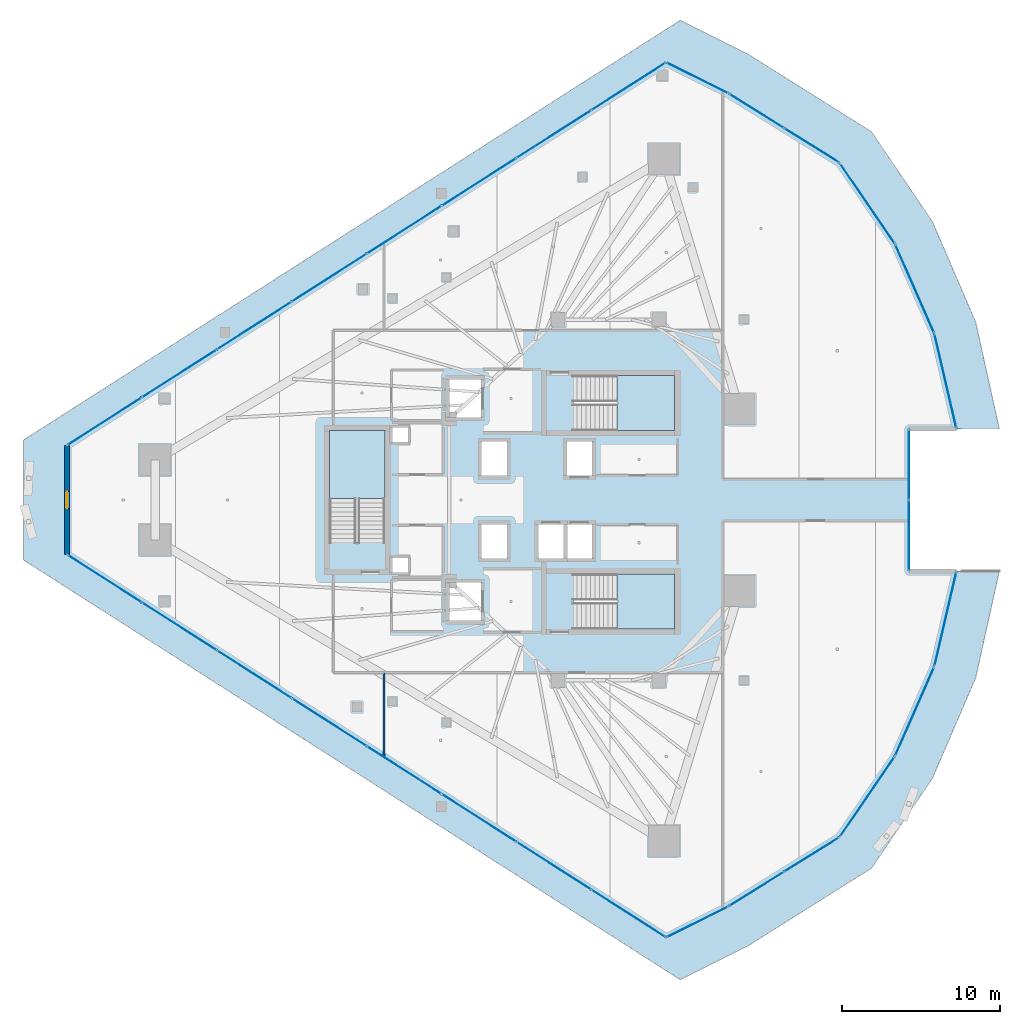
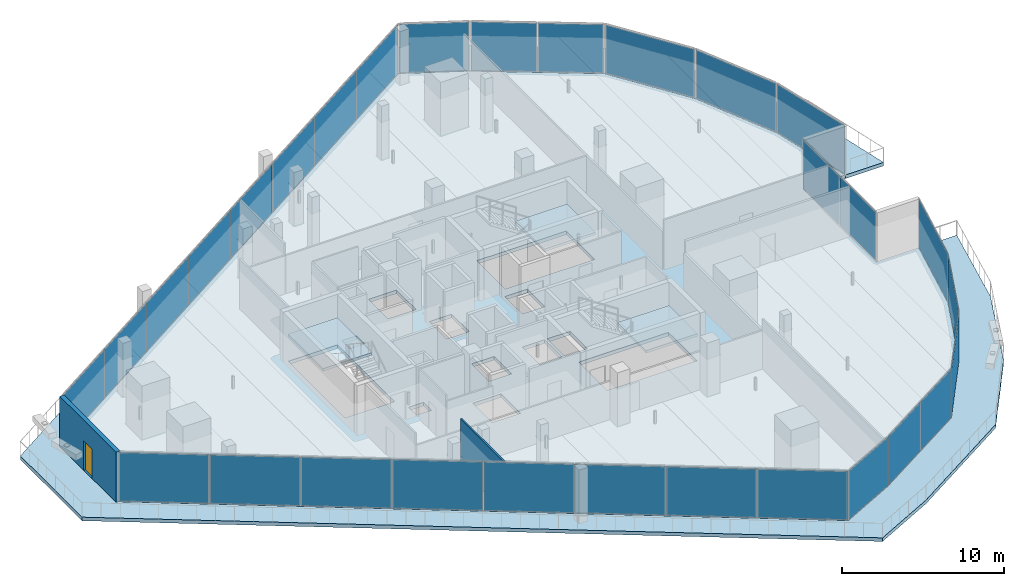
# One storey, part 24 of 36: 30 plates, 5 slabs, 2 walls, 1 door, 1 opening, 16 elements without a shape of their own.
"""IFC4 building model written with IfcOpenShell, lengths in metres."""

from ifc_helpers import new_model, si_unit, direction, frame, frame_2d, origin, origin_2d, place, context, subcontext, project, spatial, polyline, rectangle, outline, extrude, material, layer, layer_set, type_object, element, fill, aggregate, save


model = new_model("IFC4")

# Units and contexts
model_context = context("Model", 3, precision=1e-05, world=origin(), true_north=direction((0.0, 1.0)))
body_context = subcontext(model_context, "Body", "Model", "MODEL_VIEW")
ifc_project = project(units=[si_unit("LENGTHUNIT", "METRE"), si_unit("AREAUNIT", "SQUARE_METRE"), si_unit("VOLUMEUNIT", "CUBIC_METRE"), si_unit("PLANEANGLEUNIT", "RADIAN"), si_unit("MASSUNIT", "GRAM", prefix="KILO")], contexts=[model_context])

# Site, building, storey
site_placement = place(None, origin())
site = spatial("IfcSite", under=ifc_project, at=site_placement, CompositionType="ELEMENT")
building_placement = place(site_placement, origin())
building = spatial("IfcBuilding", under=site, at=building_placement, Name="Qorvath Tower", CompositionType="ELEMENT")
storey_placement = place(building_placement, frame((0.0, 0.0, 192.89990234375)))
storey = spatial("IfcBuildingStorey", under=building, at=storey_placement, Name="L44", CompositionType="ELEMENT", Elevation=192.89990234375)

# Curtain wall, plates
ifc_material_1 = material(Name="Anodised aluminium and triple low-E glass", Category="aluminium")
ifc_layer_1 = layer(ifc_material_1, 0.179931640625)
ifc_layer_set_1 = layer_set([ifc_layer_1], Name="CW-SYS-3")
curtain_wall_type = type_object("IfcCurtainWallType", Name="CW-SYS-3", PredefinedType="NOTDEFINED", material=ifc_layer_set_1)
curtain_wall_1_placement = place(storey_placement, origin())
curtain_wall_1 = element("IfcCurtainWall", 1, at=curtain_wall_1_placement, inside=storey, type_object=curtain_wall_type, Name="Curtain Wall CW-3 CW-T-L44-2.1", PredefinedType="NOTDEFINED")
ifc_material_2 = material(Name="Low-E triple insulated glass", Category="glass")
ifc_layer_2 = layer(ifc_material_2, 0.031982421875)
ifc_layer_set_2 = layer_set([ifc_layer_2], Name="CWP-GLZ-32")
plate_type = type_object("IfcPlateType", Name="CWP-GLZ-32", PredefinedType="CURTAIN_PANEL", material=ifc_layer_set_2)
plate_1_placement = place(storey_placement, frame((-52.372802734375, -4.998779296875, 0.06494140625), z_axis=(0.0, 0.0, 1.0), x_axis=(0.842604020948, -0.538533623725, 0.0)))
plate_1 = element("IfcPlate", 2, at=plate_1_placement, type_object=plate_type, Name="CW-3 panel 1.1", PredefinedType="CURTAIN_PANEL", context=body_context, shape_type="SweptSolid", body=[
    extrude(rectangle(XDim=5.542724609375, YDim=0.031982421875, at=origin_2d()), origin(), (0.0, 0.0, 1.0), 3.64990234375),
])
plate_2_placement = place(storey_placement, frame((-47.634033203125, -8.027587890625, 0.06494140625), z_axis=(0.0, 0.0, 1.0), x_axis=(0.842604020948, -0.538533623725, 0.0)))
plate_2 = element("IfcPlate", 3, at=plate_2_placement, type_object=plate_type, Name="CW-3 panel 2.1", PredefinedType="CURTAIN_PANEL", context=body_context, shape_type="SweptSolid", body=[
    extrude(rectangle(XDim=5.5751953125, YDim=0.031982421875, at=origin_2d()), origin(), (0.0, 0.0, 1.0), 3.64990234375),
])
plate_3_placement = place(storey_placement, frame((-42.881591796875, -11.06494140625, 0.06494140625), z_axis=(0.0, 0.0, 1.0), x_axis=(0.842604020948, -0.538533623725, 0.0)))
plate_3 = element("IfcPlate", 4, at=plate_3_placement, type_object=plate_type, Name="CW-3 panel 3.1", PredefinedType="CURTAIN_PANEL", context=body_context, shape_type="SweptSolid", body=[
    extrude(rectangle(XDim=5.5751953125, YDim=0.031982421875, at=origin_2d()), origin(), (0.0, 0.0, 1.0), 3.64990234375),
])
plate_4_placement = place(storey_placement, frame((-38.129150390625, -14.1025390625, 0.06494140625), z_axis=(0.0, 0.0, 1.0), x_axis=(0.842604020948, -0.538533623725, 0.0)))
plate_4 = element("IfcPlate", 5, at=plate_4_placement, type_object=plate_type, Name="CW-3 panel 4.1", PredefinedType="CURTAIN_PANEL", context=body_context, shape_type="SweptSolid", body=[
    extrude(rectangle(XDim=5.5751953125, YDim=0.031982421875, at=origin_2d()), origin(), (0.0, 0.0, 1.0), 3.64990234375),
])
plate_5_placement = place(storey_placement, frame((-33.37646484375, -17.139892578125, 0.06494140625), z_axis=(0.0, 0.0, 1.0), x_axis=(0.842604020948, -0.538533623725, 0.0)))
plate_5 = element("IfcPlate", 6, at=plate_5_placement, type_object=plate_type, Name="CW-3 panel 5.1", PredefinedType="CURTAIN_PANEL", context=body_context, shape_type="SweptSolid", body=[
    extrude(rectangle(XDim=5.5751953125, YDim=0.031982421875, at=origin_2d()), origin(), (0.0, 0.0, 1.0), 3.64990234375),
])
plate_6_placement = place(storey_placement, frame((-28.6240234375, -20.177490234375, 0.06494140625), z_axis=(0.0, 0.0, 1.0), x_axis=(0.842604020948, -0.538533623725, 0.0)))
plate_6 = element("IfcPlate", 7, at=plate_6_placement, type_object=plate_type, Name="CW-3 panel 6.1", PredefinedType="CURTAIN_PANEL", context=body_context, shape_type="SweptSolid", body=[
    extrude(rectangle(XDim=5.5751953125, YDim=0.031982421875, at=origin_2d()), origin(), (0.0, 0.0, 1.0), 3.64990234375),
])
plate_7_placement = place(storey_placement, frame((-23.87158203125, -23.21484375, 0.06494140625), z_axis=(0.0, 0.0, 1.0), x_axis=(0.842604020948, -0.538533623725, 0.0)))
plate_7 = element("IfcPlate", 8, at=plate_7_placement, type_object=plate_type, Name="CW-3 panel 7.1", PredefinedType="CURTAIN_PANEL", context=body_context, shape_type="SweptSolid", body=[
    extrude(rectangle(XDim=5.5751953125, YDim=0.031982421875, at=origin_2d()), origin(), (0.0, 0.0, 1.0), 3.64990234375),
])
plate_8_placement = place(storey_placement, frame((-19.1328125, -26.243408203125, 0.06494140625), z_axis=(0.0, 0.0, 1.0), x_axis=(0.842604020948, -0.538533623725, 0.0)))
plate_8 = element("IfcPlate", 9, at=plate_8_placement, type_object=plate_type, Name="CW-3 panel 8.1", PredefinedType="CURTAIN_PANEL", context=body_context, shape_type="SweptSolid", body=[
    extrude(rectangle(XDim=5.542724609375, YDim=0.031982421875, at=origin_2d()), origin(), (0.0, 0.0, 1.0), 3.64990234375),
])
aggregate(curtain_wall_1, [plate_1, plate_2, plate_3, plate_4, plate_5, plate_6, plate_7, plate_8])

# Curtain wall, plate
curtain_wall_2_placement = place(storey_placement, origin())
curtain_wall_2 = element("IfcCurtainWall", 10, at=curtain_wall_2_placement, inside=storey, type_object=curtain_wall_type, Name="Curtain Wall CW-3 CW-T-L44-3.1", PredefinedType="NOTDEFINED")
plate_9_placement = place(storey_placement, frame((-14.75927734375, -26.779296875, 0.06494140625), z_axis=(0.0, 0.0, 1.0), x_axis=(0.894431699973, 0.44720457744, 0.0)))
plate_9 = element("IfcPlate", 11, at=plate_9_placement, type_object=plate_type, Name="CW-3 panel 1.1", PredefinedType="CURTAIN_PANEL", context=body_context, shape_type="SweptSolid", body=[
    extrude(rectangle(XDim=4.3056640625, YDim=0.031982421875, at=origin_2d()), origin(), (0.0, 0.0, 1.0), 3.64990234375),
])
aggregate(curtain_wall_2, [plate_9])

# Curtain wall, plates
curtain_wall_3_placement = place(storey_placement, origin())
curtain_wall_3 = element("IfcCurtainWall", 12, at=curtain_wall_3_placement, inside=storey, type_object=curtain_wall_type, Name="Curtain Wall CW-3 CW-T-L44-4.1", PredefinedType="NOTDEFINED")
plate_10_placement = place(storey_placement, frame((-11.000732421875, -24.680419921875, 0.06494140625), z_axis=(0.0, 0.0, 1.0), x_axis=(0.848493264618, 0.529206179006, 0.0)))
plate_10 = element("IfcPlate", 13, at=plate_10_placement, type_object=plate_type, Name="CW-3 panel 1.1", PredefinedType="CURTAIN_PANEL", context=body_context, shape_type="SweptSolid", body=[
    extrude(rectangle(XDim=4.0537109375, YDim=0.031982421875, at=origin_2d()), origin(), (0.0, 0.0, 1.0), 3.64990234375),
])
plate_11_placement = place(storey_placement, frame((-7.506103515625, -22.500732421875, 0.06494140625), z_axis=(0.0, 0.0, 1.0), x_axis=(0.848493264618, 0.529206179006, 0.0)))
plate_11 = element("IfcPlate", 14, at=plate_11_placement, type_object=plate_type, Name="CW-3 panel 2.1", PredefinedType="CURTAIN_PANEL", context=body_context, shape_type="SweptSolid", body=[
    extrude(rectangle(XDim=4.0537109375, YDim=0.031982421875, at=origin_2d()), origin(), (0.0, 0.0, 1.0), 3.64990234375),
])
aggregate(curtain_wall_3, [plate_10, plate_11])

# Curtain wall, plate
curtain_wall_4_placement = place(storey_placement, origin())
curtain_wall_4 = element("IfcCurtainWall", 15, at=curtain_wall_4_placement, inside=storey, type_object=curtain_wall_type, Name="Curtain Wall CW-3 CW-T-L44-5.1", PredefinedType="NOTDEFINED")
plate_12_placement = place(storey_placement, frame((-3.97705078125, -18.828857421875, 0.06494140625), z_axis=(0.0, 0.0, 1.0), x_axis=(0.56451201528, 0.825424850974, 0.0)))
plate_12 = element("IfcPlate", 16, at=plate_12_placement, type_object=plate_type, Name="CW-3 panel 1.1", PredefinedType="CURTAIN_PANEL", context=body_context, shape_type="SweptSolid", body=[
    extrude(rectangle(XDim=6.085205078125, YDim=0.031982421875, at=origin_2d()), origin(), (0.0, 0.0, 1.0), 3.64990234375),
])
aggregate(curtain_wall_4, [plate_12])

curtain_wall_5_placement = place(storey_placement, origin())
curtain_wall_5 = element("IfcCurtainWall", 17, at=curtain_wall_5_placement, inside=storey, type_object=curtain_wall_type, Name="Curtain Wall CW-3 CW-T-L44-6.1", PredefinedType="NOTDEFINED")
plate_13_placement = place(storey_placement, frame((-0.972412109375, -13.418701171875, 0.06494140625), z_axis=(0.0, 0.0, 1.0), x_axis=(0.402320695364, 0.915498802884, 0.0)))
plate_13 = element("IfcPlate", 18, at=plate_13_placement, type_object=plate_type, Name="CW-3 panel 1.1", PredefinedType="CURTAIN_PANEL", context=body_context, shape_type="SweptSolid", body=[
    extrude(rectangle(XDim=6.085205078125, YDim=0.031982421875, at=origin_2d()), origin(), (0.0, 0.0, 1.0), 3.64990234375),
])
aggregate(curtain_wall_5, [plate_13])

curtain_wall_6_placement = place(storey_placement, origin())
curtain_wall_6 = element("IfcCurtainWall", 19, at=curtain_wall_6_placement, inside=storey, type_object=curtain_wall_type, Name="Curtain Wall CW-3 CW-T-L44-7.1", PredefinedType="NOTDEFINED")
plate_14_placement = place(storey_placement, frame((0.98095703125, -7.546630859375, 0.06494140625), z_axis=(0.0, 0.0, 1.0), x_axis=(0.226271743469, 0.974064216624, 0.0)))
plate_14 = element("IfcPlate", 20, at=plate_14_placement, type_object=plate_type, Name="CW-3 panel 1.1", PredefinedType="CURTAIN_PANEL", context=body_context, shape_type="SweptSolid", body=[
    extrude(rectangle(XDim=6.085205078125, YDim=0.031982421875, at=origin_2d()), origin(), (0.0, 0.0, 1.0), 3.64990234375),
])
aggregate(curtain_wall_6, [plate_14])

# Curtain wall, plates
curtain_wall_7_placement = place(storey_placement, origin())
curtain_wall_7 = element("IfcCurtainWall", 21, at=curtain_wall_7_placement, inside=storey, type_object=curtain_wall_type, Name="Curtain Wall CW-3 CW-T-L44-9.1", PredefinedType="NOTDEFINED")
plate_15_placement = place(storey_placement, frame((-1.3291015625, -2.24365234375, 0.06494140625), z_axis=(0.0, 0.0, 1.0), x_axis=(0.0, 1.0, 0.0)))
plate_15 = element("IfcPlate", 22, at=plate_15_placement, type_object=plate_type, Name="CW-3 panel 1.1", PredefinedType="CURTAIN_PANEL", context=body_context, shape_type="SweptSolid", body=[
    extrude(rectangle(XDim=4.42236328125, YDim=0.031982421875, at=origin_2d()), origin(), (0.0, 0.0, 1.0), 3.64990234375),
])
plate_16_placement = place(storey_placement, frame((-1.3291015625, 2.24365234375, 0.06494140625), z_axis=(0.0, 0.0, 1.0), x_axis=(0.0, 1.0, 0.0)))
plate_16 = element("IfcPlate", 23, at=plate_16_placement, type_object=plate_type, Name="CW-3 panel 2.1", PredefinedType="CURTAIN_PANEL", context=body_context, shape_type="SweptSolid", body=[
    extrude(rectangle(XDim=4.42236328125, YDim=0.031982421875, at=origin_2d()), origin(), (0.0, 0.0, 1.0), 3.64990234375),
])
aggregate(curtain_wall_7, [plate_15, plate_16])

# Curtain wall, plate
curtain_wall_8_placement = place(storey_placement, origin())
curtain_wall_8 = element("IfcCurtainWall", 24, at=curtain_wall_8_placement, inside=storey, type_object=curtain_wall_type, Name="Curtain Wall CW-3 CW-T-L44-11.1", PredefinedType="NOTDEFINED")
plate_17_placement = place(storey_placement, frame((0.98095703125, 7.546630859375, 0.06494140625), z_axis=(0.0, 0.0, 1.0), x_axis=(-0.226271743469, 0.974064216624, 0.0)))
plate_17 = element("IfcPlate", 25, at=plate_17_placement, type_object=plate_type, Name="CW-3 panel 1.1", PredefinedType="CURTAIN_PANEL", context=body_context, shape_type="SweptSolid", body=[
    extrude(rectangle(XDim=6.085205078125, YDim=0.031982421875, at=origin_2d()), origin(), (0.0, 0.0, 1.0), 3.64990234375),
])
aggregate(curtain_wall_8, [plate_17])

curtain_wall_9_placement = place(storey_placement, origin())
curtain_wall_9 = element("IfcCurtainWall", 26, at=curtain_wall_9_placement, inside=storey, type_object=curtain_wall_type, Name="Curtain Wall CW-3 CW-T-L44-12.1", PredefinedType="NOTDEFINED")
plate_18_placement = place(storey_placement, frame((-0.972412109375, 13.418701171875, 0.06494140625), z_axis=(0.0, 0.0, 1.0), x_axis=(-0.402320695364, 0.915498802884, 0.0)))
plate_18 = element("IfcPlate", 27, at=plate_18_placement, type_object=plate_type, Name="CW-3 panel 1.1", PredefinedType="CURTAIN_PANEL", context=body_context, shape_type="SweptSolid", body=[
    extrude(rectangle(XDim=6.085205078125, YDim=0.031982421875, at=origin_2d()), origin(), (0.0, 0.0, 1.0), 3.64990234375),
])
aggregate(curtain_wall_9, [plate_18])

curtain_wall_10_placement = place(storey_placement, origin())
curtain_wall_10 = element("IfcCurtainWall", 28, at=curtain_wall_10_placement, inside=storey, type_object=curtain_wall_type, Name="Curtain Wall CW-3 CW-T-L44-13.1", PredefinedType="NOTDEFINED")
plate_19_placement = place(storey_placement, frame((-3.97705078125, 18.828857421875, 0.06494140625), z_axis=(0.0, 0.0, 1.0), x_axis=(-0.56451201528, 0.825424850974, 0.0)))
plate_19 = element("IfcPlate", 29, at=plate_19_placement, type_object=plate_type, Name="CW-3 panel 1.1", PredefinedType="CURTAIN_PANEL", context=body_context, shape_type="SweptSolid", body=[
    extrude(rectangle(XDim=6.085205078125, YDim=0.031982421875, at=origin_2d()), origin(), (0.0, 0.0, 1.0), 3.64990234375),
])
aggregate(curtain_wall_10, [plate_19])

# Curtain wall, plates
curtain_wall_11_placement = place(storey_placement, origin())
curtain_wall_11 = element("IfcCurtainWall", 30, at=curtain_wall_11_placement, inside=storey, type_object=curtain_wall_type, Name="Curtain Wall CW-3 CW-T-L44-14.1", PredefinedType="NOTDEFINED")
plate_20_placement = place(storey_placement, frame((-7.506103515625, 22.500732421875, 0.06494140625), z_axis=(0.0, 0.0, 1.0), x_axis=(-0.848493264618, 0.529206179006, 0.0)))
plate_20 = element("IfcPlate", 31, at=plate_20_placement, type_object=plate_type, Name="CW-3 panel 1.1", PredefinedType="CURTAIN_PANEL", context=body_context, shape_type="SweptSolid", body=[
    extrude(rectangle(XDim=4.0537109375, YDim=0.031982421875, at=origin_2d()), origin(), (0.0, 0.0, 1.0), 3.64990234375),
])
plate_21_placement = place(storey_placement, frame((-11.000732421875, 24.680419921875, 0.06494140625), z_axis=(0.0, 0.0, 1.0), x_axis=(-0.848493264618, 0.529206179006, 0.0)))
plate_21 = element("IfcPlate", 32, at=plate_21_placement, type_object=plate_type, Name="CW-3 panel 2.1", PredefinedType="CURTAIN_PANEL", context=body_context, shape_type="SweptSolid", body=[
    extrude(rectangle(XDim=4.0537109375, YDim=0.031982421875, at=origin_2d()), origin(), (0.0, 0.0, 1.0), 3.64990234375),
])
aggregate(curtain_wall_11, [plate_20, plate_21])

# Curtain wall, plate
curtain_wall_12_placement = place(storey_placement, origin())
curtain_wall_12 = element("IfcCurtainWall", 33, at=curtain_wall_12_placement, inside=storey, type_object=curtain_wall_type, Name="Curtain Wall CW-3 CW-T-L44-15.1", PredefinedType="NOTDEFINED")
plate_22_placement = place(storey_placement, frame((-14.75927734375, 26.779296875, 0.06494140625), z_axis=(0.0, 0.0, 1.0), x_axis=(-0.894431699973, 0.44720457744, 0.0)))
plate_22 = element("IfcPlate", 34, at=plate_22_placement, type_object=plate_type, Name="CW-3 panel 1.1", PredefinedType="CURTAIN_PANEL", context=body_context, shape_type="SweptSolid", body=[
    extrude(rectangle(XDim=4.3056640625, YDim=0.031982421875, at=origin_2d()), origin(), (0.0, 0.0, 1.0), 3.64990234375),
])
aggregate(curtain_wall_12, [plate_22])

# Curtain wall, plates
curtain_wall_13_placement = place(storey_placement, origin())
curtain_wall_13 = element("IfcCurtainWall", 35, at=curtain_wall_13_placement, inside=storey, type_object=curtain_wall_type, Name="Curtain Wall CW-3 CW-T-L44-16.1", PredefinedType="NOTDEFINED")
plate_23_placement = place(storey_placement, frame((-19.1328125, 26.243408203125, 0.06494140625), z_axis=(0.0, 0.0, 1.0), x_axis=(-0.842604020948, -0.538533623725, 0.0)))
plate_23 = element("IfcPlate", 36, at=plate_23_placement, type_object=plate_type, Name="CW-3 panel 1.1", PredefinedType="CURTAIN_PANEL", context=body_context, shape_type="SweptSolid", body=[
    extrude(rectangle(XDim=5.542724609375, YDim=0.031982421875, at=origin_2d()), origin(), (0.0, 0.0, 1.0), 3.64990234375),
])
plate_24_placement = place(storey_placement, frame((-23.87158203125, 23.21484375, 0.06494140625), z_axis=(0.0, 0.0, 1.0), x_axis=(-0.842604020948, -0.538533623725, 0.0)))
plate_24 = element("IfcPlate", 37, at=plate_24_placement, type_object=plate_type, Name="CW-3 panel 2.1", PredefinedType="CURTAIN_PANEL", context=body_context, shape_type="SweptSolid", body=[
    extrude(rectangle(XDim=5.5751953125, YDim=0.031982421875, at=origin_2d()), origin(), (0.0, 0.0, 1.0), 3.64990234375),
])
plate_25_placement = place(storey_placement, frame((-28.6240234375, 20.177490234375, 0.06494140625), z_axis=(0.0, 0.0, 1.0), x_axis=(-0.842604020948, -0.538533623725, 0.0)))
plate_25 = element("IfcPlate", 38, at=plate_25_placement, type_object=plate_type, Name="CW-3 panel 3.1", PredefinedType="CURTAIN_PANEL", context=body_context, shape_type="SweptSolid", body=[
    extrude(rectangle(XDim=5.5751953125, YDim=0.031982421875, at=origin_2d()), origin(), (0.0, 0.0, 1.0), 3.64990234375),
])
plate_26_placement = place(storey_placement, frame((-33.37646484375, 17.139892578125, 0.06494140625), z_axis=(0.0, 0.0, 1.0), x_axis=(-0.842604020948, -0.538533623725, 0.0)))
plate_26 = element("IfcPlate", 39, at=plate_26_placement, type_object=plate_type, Name="CW-3 panel 4.1", PredefinedType="CURTAIN_PANEL", context=body_context, shape_type="SweptSolid", body=[
    extrude(rectangle(XDim=5.5751953125, YDim=0.031982421875, at=origin_2d()), origin(), (0.0, 0.0, 1.0), 3.64990234375),
])
plate_27_placement = place(storey_placement, frame((-38.129150390625, 14.1025390625, 0.06494140625), z_axis=(0.0, 0.0, 1.0), x_axis=(-0.842604020948, -0.538533623725, 0.0)))
plate_27 = element("IfcPlate", 40, at=plate_27_placement, type_object=plate_type, Name="CW-3 panel 5.1", PredefinedType="CURTAIN_PANEL", context=body_context, shape_type="SweptSolid", body=[
    extrude(rectangle(XDim=5.5751953125, YDim=0.031982421875, at=origin_2d()), origin(), (0.0, 0.0, 1.0), 3.64990234375),
])
plate_28_placement = place(storey_placement, frame((-42.881591796875, 11.06494140625, 0.06494140625), z_axis=(0.0, 0.0, 1.0), x_axis=(-0.842604020948, -0.538533623725, 0.0)))
plate_28 = element("IfcPlate", 41, at=plate_28_placement, type_object=plate_type, Name="CW-3 panel 6.1", PredefinedType="CURTAIN_PANEL", context=body_context, shape_type="SweptSolid", body=[
    extrude(rectangle(XDim=5.5751953125, YDim=0.031982421875, at=origin_2d()), origin(), (0.0, 0.0, 1.0), 3.64990234375),
])
plate_29_placement = place(storey_placement, frame((-47.634033203125, 8.027587890625, 0.06494140625), z_axis=(0.0, 0.0, 1.0), x_axis=(-0.842604020948, -0.538533623725, 0.0)))
plate_29 = element("IfcPlate", 42, at=plate_29_placement, type_object=plate_type, Name="CW-3 panel 7.1", PredefinedType="CURTAIN_PANEL", context=body_context, shape_type="SweptSolid", body=[
    extrude(rectangle(XDim=5.5751953125, YDim=0.031982421875, at=origin_2d()), origin(), (0.0, 0.0, 1.0), 3.64990234375),
])
plate_30_placement = place(storey_placement, frame((-52.372802734375, 4.998779296875, 0.06494140625), z_axis=(0.0, 0.0, 1.0), x_axis=(-0.842604020948, -0.538533623725, 0.0)))
plate_30 = element("IfcPlate", 43, at=plate_30_placement, type_object=plate_type, Name="CW-3 panel 8.1", PredefinedType="CURTAIN_PANEL", context=body_context, shape_type="SweptSolid", body=[
    extrude(rectangle(XDim=5.542724609375, YDim=0.031982421875, at=origin_2d()), origin(), (0.0, 0.0, 1.0), 3.64990234375),
])
aggregate(curtain_wall_13, [plate_23, plate_24, plate_25, plate_26, plate_27, plate_28, plate_29, plate_30])

# Stair, slab
ifc_material_3 = material(Name="Concrete C50/60", Category="concrete")
stair_type = type_object("IfcStairType", Name="ST-H405", PredefinedType="HALF_TURN_STAIR", material=ifc_material_3)
stair_1_placement = place(storey_placement, origin())
stair_1 = element("IfcStair", 44, at=stair_1_placement, inside=storey, type_object=stair_type, Name="L44 Tower Exit Stair 1", PredefinedType="HALF_TURN_STAIR")
ifc_material_4 = material(Name="Concrete C50/60", Category="concrete")
ifc_layer_3 = layer(ifc_material_4, 0.199951171875)
ifc_layer_set_3 = layer_set([ifc_layer_3], Name="SL-LND-200")
slab_type_1 = type_object("IfcSlabType", Name="SL-LND-200", PredefinedType="LANDING", material=ifc_layer_set_3)
slab_1_placement = place(storey_placement, frame((0.0, 0.0, 1.8251953125)))
slab_1 = element("IfcSlab", 45, at=slab_1_placement, type_object=slab_type_1, Name="TS1 landing 1", PredefinedType="LANDING", context=body_context, shape_type="SweptSolid", body=[
    extrude(outline(polyline([(-19.8701171875, 4.39990234375), (-16.199951171875, 4.39990234375), (-16.199951171875, 7.909912109375), (-19.8701171875, 7.909912109375), (-19.8701171875, 4.39990234375)])), origin(), (0.0, 0.0, 1.0), 0.199951171875),
])
aggregate(stair_1, [slab_1])

stair_2_placement = place(storey_placement, origin())
stair_2 = element("IfcStair", 46, at=stair_2_placement, inside=storey, type_object=stair_type, Name="L44 Tower Exit Stair 2", PredefinedType="HALF_TURN_STAIR")
slab_2_placement = place(storey_placement, frame((0.0, 0.0, 1.8251953125)))
slab_2 = element("IfcSlab", 47, at=slab_2_placement, type_object=slab_type_1, Name="TS2 landing 1", PredefinedType="LANDING", context=body_context, shape_type="SweptSolid", body=[
    extrude(outline(polyline([(-19.8701171875, -8.199951171875), (-16.199951171875, -8.199951171875), (-16.199951171875, -4.68994140625), (-19.8701171875, -4.68994140625), (-19.8701171875, -8.199951171875)])), origin(), (0.0, 0.0, 1.0), 0.199951171875),
])
aggregate(stair_2, [slab_2])

stair_3_placement = place(storey_placement, origin())
stair_3 = element("IfcStair", 48, at=stair_3_placement, inside=storey, type_object=stair_type, Name="L44 Tower Exit Stair 3", PredefinedType="HALF_TURN_STAIR")
slab_3_placement = place(storey_placement, frame((0.0, 0.0, 1.8251953125)))
slab_3 = element("IfcSlab", 49, at=slab_3_placement, type_object=slab_type_1, Name="TS3 landing 1", PredefinedType="LANDING", context=body_context, shape_type="SweptSolid", body=[
    extrude(outline(polyline([(-34.60009765625, 0.080078125), (-34.60009765625, 4.39990234375), (-38.110107421875, 4.39990234375), (-38.110107421875, 0.080078125), (-34.60009765625, 0.080078125)])), origin(), (0.0, 0.0, 1.0), 0.199951171875),
])
aggregate(stair_3, [slab_3])

# Slabs
ifc_material_5 = material(Name="Precast concrete C45/55", Category="concrete")
ifc_layer_4 = layer(ifc_material_5, 0.27001953125)
ifc_layer_set_4 = layer_set([ifc_layer_4], Name="SL-LOG-270")
slab_type_2 = type_object("IfcSlabType", Name="SL-LOG-270", PredefinedType="FLOOR", material=ifc_layer_set_4)
slab_4_placement = place(storey_placement, frame((0.0, 0.0, -0.27001953125)))
element("IfcSlab", 50, at=slab_4_placement, inside=storey, type_object=slab_type_2, Name="Tower L44 Perimeter Loggia and Terrace Slab", PredefinedType="FLOOR", context=body_context, shape_type="SweptSolid", body=[
    extrude(outline(polyline([(1.68408203125, -4.519775390625), (0.27783203125, -10.57373046875), (-2.22265625, -16.263671875), (-5.731201171875, -21.393798828125), (-12.775634765625, -25.787353515625), (-16.742919921875, -27.77099609375), (-54.7626953125, -3.471435546875), (-54.7626953125, 3.471435546875), (-16.742919921875, 27.77099609375), (-12.775634765625, 25.787353515625), (-5.731201171875, 21.393798828125), (-2.22265625, 16.263671875), (0.27783203125, 10.57373046875), (1.68408203125, 4.519775390625), (4.400390625, 4.519775390625), (2.90478515625, 11.277587890625), (0.16748046875, 17.634521484375), (-3.714111328125, 23.364990234375), (-11.505126953125, 28.264892578125), (-15.853515625, 30.439208984375), (-57.5263671875, 3.804931640625), (-57.5263671875, -3.804931640625), (-15.853515625, -30.439208984375), (-11.505126953125, -28.264892578125), (-3.714111328125, -23.364990234375), (0.16748046875, -17.634521484375), (2.90478515625, -11.277587890625), (4.400390625, -4.519775390625), (1.68408203125, -4.519775390625)])), origin(), (0.0, 0.0, 1.0), 0.27001953125),
])
ifc_material_6 = material(Name="Concrete C45/55", Category="concrete")
ifc_layer_5 = layer(ifc_material_6, 0.27001953125)
ifc_layer_set_5 = layer_set([ifc_layer_5], Name="SL-MID-270")
slab_type_3 = type_object("IfcSlabType", Name="SL-MID-270", PredefinedType="FLOOR", material=ifc_layer_set_5)
slab_5_placement = place(storey_placement, frame((0.0, 0.0, -0.27001953125)))
element("IfcSlab", 51, at=slab_5_placement, inside=storey, type_object=slab_type_3, Name="Tower L44 Interior Floor Slab", PredefinedType="FLOOR", context=body_context, shape_type="SweptSolid", body=[
    extrude(outline(polyline([(-54.7626953125, 3.471435546875), (-54.7626953125, -3.471435546875), (-16.742919921875, -27.77099609375), (-12.775634765625, -25.787353515625), (-5.731201171875, -21.393798828125), (-2.22265625, -16.263671875), (0.27783203125, -10.57373046875), (1.68408203125, -4.519775390625), (-1.3291015625, -4.519775390625), (-1.3291015625, 4.519775390625), (1.68408203125, 4.519775390625), (0.27783203125, 10.57373046875), (-2.22265625, 16.263671875), (-5.731201171875, 21.393798828125), (-12.775634765625, 25.787353515625), (-16.742919921875, 27.77099609375), (-54.7626953125, 3.471435546875)]), holes=[polyline([(-16.2451171875, -8.199951171875), (-22.625, -8.199951171875), (-22.625, -4.68994140625), (-16.2451171875, -4.68994140625), (-16.2451171875, -8.199951171875)]), polyline([(-22.625, 4.39990234375), (-22.625, 7.909912109375), (-16.2451171875, 7.909912109375), (-16.2451171875, 4.39990234375), (-22.625, 4.39990234375)]), polyline([(-21.449951171875, -3.699951171875), (-23.050048828125, -3.699951171875), (-23.050048828125, -1.550048828125), (-21.449951171875, -1.550048828125), (-21.449951171875, -3.699951171875)]), polyline([(-23.050048828125, 1.550048828125), (-23.050048828125, 3.699951171875), (-21.449951171875, 3.699951171875), (-21.449951171875, 1.550048828125), (-23.050048828125, 1.550048828125)]), polyline([(-24.85009765625, -3.699951171875), (-24.85009765625, -1.550048828125), (-23.25, -1.550048828125), (-23.25, -3.699951171875), (-24.85009765625, -3.699951171875)]), polyline([(-28.449951171875, -3.699951171875), (-28.449951171875, -1.550048828125), (-26.85009765625, -1.550048828125), (-26.85009765625, -3.699951171875), (-28.449951171875, -3.699951171875)]), polyline([(-26.85009765625, 1.550048828125), (-28.449951171875, 1.550048828125), (-28.449951171875, 3.699951171875), (-26.85009765625, 3.699951171875), (-26.85009765625, 1.550048828125)]), polyline([(-28.5, -7.64990234375), (-30.5, -7.64990234375), (-30.5, -5.25), (-28.5, -5.25), (-28.5, -7.64990234375)]), polyline([(-30.5, 5.25), (-30.5, 7.64990234375), (-28.5, 7.64990234375), (-28.5, 5.25), (-30.5, 5.25)]), polyline([(-34.14990234375, -4.6201171875), (-34.14990234375, -3.64990234375), (-33.10009765625, -3.64990234375), (-33.10009765625, -4.6201171875), (-34.14990234375, -4.6201171875)]), polyline([(-34.14990234375, 3.64990234375), (-34.14990234375, 4.6201171875), (-33.10009765625, 4.6201171875), (-33.10009765625, 3.64990234375), (-34.14990234375, 3.64990234375)]), polyline([(-34.60009765625, -2.675048828125), (-38.110107421875, -2.675048828125), (-38.110107421875, 4.35498046875), (-34.60009765625, 4.35498046875), (-34.60009765625, -2.675048828125)])]), origin(), (0.0, 0.0, 1.0), 0.27001953125),
])

# Wall
ifc_material_7 = material(Name="Gypsum board on metal studs with mineral wool", Category="gypsum")
ifc_layer_6 = layer(ifc_material_7, 0.125)
ifc_layer_set_6 = layer_set([ifc_layer_6], Name="IW-PART-125")
wall_type_1 = type_object("IfcWallType", Name="IW-PART-125", PredefinedType="PARTITIONING", material=ifc_layer_set_6)
wall_1_placement = place(storey_placement, frame((-34.64990234375, -16.24609375, 0.0), z_axis=(0.0, 0.0, 1.0), x_axis=(0.0, 1.0, 0.0)))
element("IfcWall", 52, at=wall_1_placement, inside=storey, type_object=wall_type_1, Name="Interior Partition IW-T1-L44-023", PredefinedType="PARTITIONING", context=body_context, shape_type="SweptSolid", body=[
    extrude(rectangle(XDim=5.26318359375, YDim=0.125, at=frame_2d((2.631591796875, 0.0))), origin(), (0.0, 0.0, 1.0), 3.780029296875),
])

# Wall, opening, door
ifc_material_8 = material(Name="Precast concrete C45/55", Category="concrete")
ifc_layer_7 = layer(ifc_material_8, 0.300048828125)
ifc_layer_set_7 = layer_set([ifc_layer_7], Name="WL-EW-LOG-300")
wall_type_2 = type_object("IfcWallType", Name="WL-EW-LOG-300", PredefinedType="SOLIDWALL", material=ifc_layer_set_7)
wall_2_placement = place(storey_placement, frame((-54.7626953125, -3.471435546875, 0.0), z_axis=(0.0, 0.0, 1.0), x_axis=(0.0, 1.0, 0.0)))
wall_2 = element("IfcWall", 53, at=wall_2_placement, inside=storey, type_object=wall_type_2, Name="Tower Precast Loggia Wall L44-1.1", PredefinedType="SOLIDWALL", context=body_context, shape_type="SweptSolid", body=[
    extrude(rectangle(XDim=6.94287109375, YDim=0.300048828125, at=frame_2d((3.471435546875, 0.0))), origin(), (0.0, 0.0, 1.0), 3.780029296875),
])
opening_placement = place(wall_2_placement, frame((2.9462890625, 0.0, 0.0)))
opening = element("IfcOpeningElement", 54, at=opening_placement, cuts=wall_2, Name="Opening ED-L44-01", PredefinedType="OPENING", context=body_context, shape_type="SweptSolid", body=[
    extrude(rectangle(XDim=1.050048828125, YDim=2.199951171875, at=frame_2d((0.52490234375, 1.10009765625))), frame((0.0, 0.16015625, 0.0), z_axis=(0.0, -1.0, 0.0), x_axis=(1.0, 0.0, 0.0)), (0.0, 0.0, 1.0), 0.320068359375),
])
ifc_material_9 = material(Name="Thermally broken aluminium glazed door", Category="aluminium")
door_type = type_object("IfcDoorType", Name="ED-LOG", OperationType="NOTDEFINED", PredefinedType="DOOR", material=ifc_material_9)
door_placement = place(opening_placement, origin())
door = element("IfcDoor", 55, at=door_placement, inside=storey, type_object=door_type, Name="L44 Recessed Loggia Access Door 1", OperationType="SINGLE_SWING_LEFT", OverallHeight=2.199951171875, OverallWidth=1.050048828125, PredefinedType="DOOR", context=body_context, shape_type="SweptSolid", body=[
    extrude(rectangle(XDim=1.050048828125, YDim=2.199951171875, at=frame_2d((0.52490234375, 1.10009765625))), frame((0.0, 0.02490234375, 0.0), z_axis=(0.0, -1.0, 0.0), x_axis=(1.0, 0.0, 0.0)), (0.0, 0.0, 1.0), 0.050048828125),
])
fill(opening, door)

save(model, "model.ifc")
